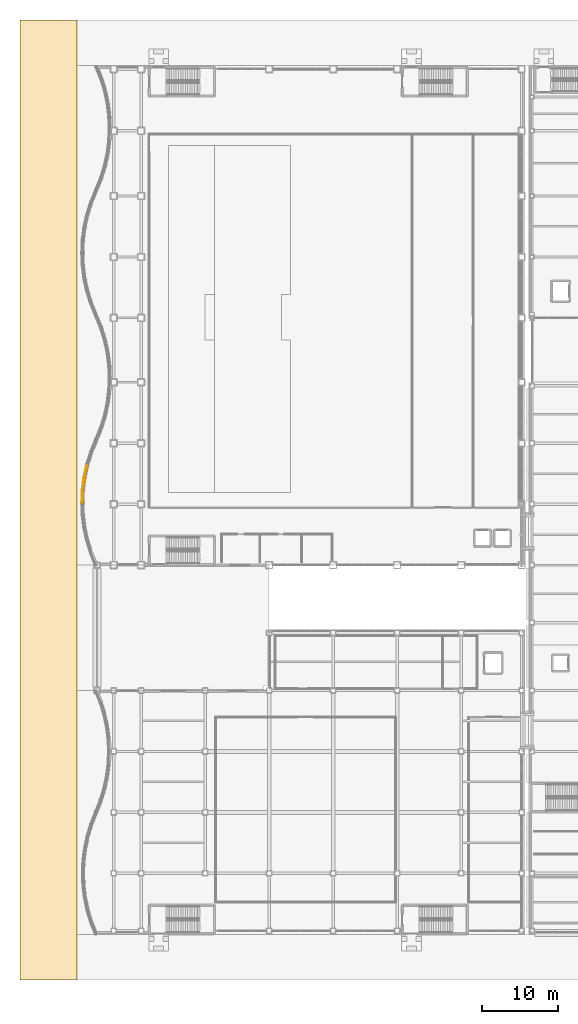
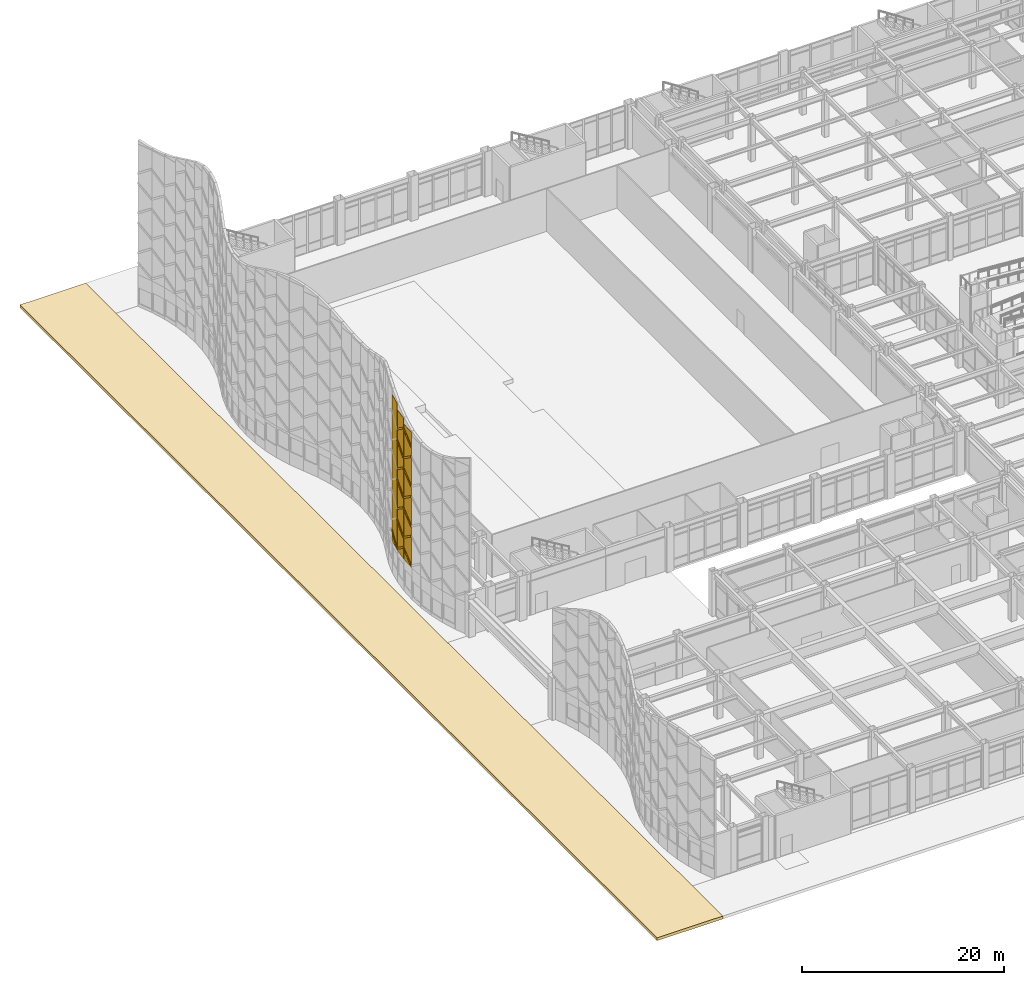
# One storey, part 145 of 165: 19 coverings.
"""IFC4 building model written with IfcOpenShell, lengths in metres."""

from ifc_helpers import new_model, si_unit, direction, frame, origin, origin_2d, place, context, subcontext, project, spatial, polyline, rectangle, outline, extrude, material, layer, layer_set, type_object, element, save


model = new_model("IFC4")

# Units and contexts
model_context = context("Model", 3, precision=1e-05, world=origin(), true_north=direction((0.0, 1.0)))
body_context = subcontext(model_context, "Body", "Model", "MODEL_VIEW")
ifc_project = project(units=[si_unit("LENGTHUNIT", "METRE"), si_unit("AREAUNIT", "SQUARE_METRE"), si_unit("VOLUMEUNIT", "CUBIC_METRE"), si_unit("PLANEANGLEUNIT", "RADIAN"), si_unit("MASSUNIT", "GRAM", prefix="KILO")], contexts=[model_context])

# Site, building, storey
site_placement = place(None, origin())
site = spatial("IfcSite", under=ifc_project, at=site_placement, CompositionType="ELEMENT")
building_placement = place(site_placement, origin())
building = spatial("IfcBuilding", under=site, at=building_placement, Name="Kazehara Bluff Congress Hotel", CompositionType="ELEMENT")
storey_placement = place(building_placement, origin())
storey = spatial("IfcBuildingStorey", under=building, at=storey_placement, Name="L00", CompositionType="ELEMENT", Elevation=0.0)

# Coverings
ifc_material_1 = material(Name="Basalt stone-grey chevron ceramic tile", Category="masonry")
ifc_layer_1 = layer(ifc_material_1, 0.1201171875)
ifc_layer_set_1 = layer_set([ifc_layer_1], Name="Basalt stone-grey chevron ceramic tile")
covering_type_1 = type_object("IfcCoveringType", Name="TP-CHV-RIB", PredefinedType="CLADDING", material=ifc_layer_set_1)
covering_1_placement = place(storey_placement, frame((0.6201171875, 56.64990234375, 4.0), z_axis=(0.0, 0.0, 1.0), x_axis=(0.042666799498, 0.999089357475, 0.0)))
element("IfcCovering", 1, at=covering_1_placement, inside=storey, type_object=covering_type_1, Name="Chevron stone-grey tile rib WR-V1-06-1", PredefinedType="CLADDING", context=body_context, shape_type="SweptSolid", body=[
    extrude(outline(polyline([(0.0400390625, 0.0), (1.594970703125, 1.1201171875), (1.594970703125, 1.360107421875), (0.0400390625, 0.239990234375), (0.0400390625, 0.0)])), frame((0.0, 0.06005859375, 0.0), z_axis=(0.0, -1.0, 0.0), x_axis=(1.0, 0.0, 0.0)), (0.0, 0.0, 1.0), 0.1201171875),
])
covering_2_placement = place(storey_placement, frame((0.6201171875, 56.64990234375, 6.39990234375), z_axis=(0.0, 0.0, 1.0), x_axis=(0.042666799498, 0.999089357475, 0.0)))
element("IfcCovering", 2, at=covering_2_placement, inside=storey, type_object=covering_type_1, Name="Chevron stone-grey tile rib WR-V1-06-2", PredefinedType="CLADDING", context=body_context, shape_type="SweptSolid", body=[
    extrude(outline(polyline([(0.0400390625, 1.1201171875), (1.594970703125, 0.0), (1.594970703125, 0.239990234375), (0.0400390625, 1.360107421875), (0.0400390625, 1.1201171875)])), frame((0.0, 0.06005859375, 0.0), z_axis=(0.0, -1.0, 0.0), x_axis=(1.0, 0.0, 0.0)), (0.0, 0.0, 1.0), 0.1201171875),
])
covering_3_placement = place(storey_placement, frame((0.6201171875, 56.64990234375, 8.800048828125), z_axis=(0.0, 0.0, 1.0), x_axis=(0.042666799498, 0.999089357475, 0.0)))
element("IfcCovering", 3, at=covering_3_placement, inside=storey, type_object=covering_type_1, Name="Chevron stone-grey tile rib WR-V1-06-3", PredefinedType="CLADDING", context=body_context, shape_type="SweptSolid", body=[
    extrude(outline(polyline([(0.0400390625, 0.0), (1.594970703125, 1.119873046875), (1.594970703125, 1.35986328125), (0.0400390625, 0.239990234375), (0.0400390625, 0.0)])), frame((0.0, 0.06005859375, 0.0), z_axis=(0.0, -1.0, 0.0), x_axis=(1.0, 0.0, 0.0)), (0.0, 0.0, 1.0), 0.1201171875),
])
covering_4_placement = place(storey_placement, frame((0.6201171875, 56.64990234375, 11.199951171875), z_axis=(0.0, 0.0, 1.0), x_axis=(0.042666799498, 0.999089357475, 0.0)))
element("IfcCovering", 4, at=covering_4_placement, inside=storey, type_object=covering_type_1, Name="Chevron stone-grey tile rib WR-V1-06-4", PredefinedType="CLADDING", context=body_context, shape_type="SweptSolid", body=[
    extrude(outline(polyline([(0.0400390625, 1.1201171875), (1.594970703125, 0.0), (1.594970703125, 0.239990234375), (0.0400390625, 1.360107421875), (0.0400390625, 1.1201171875)])), frame((0.0, 0.06005859375, 0.0), z_axis=(0.0, -1.0, 0.0), x_axis=(1.0, 0.0, 0.0)), (0.0, 0.0, 1.0), 0.1201171875),
])
covering_5_placement = place(storey_placement, frame((0.6201171875, 56.64990234375, 13.60009765625), z_axis=(0.0, 0.0, 1.0), x_axis=(0.042666799498, 0.999089357475, 0.0)))
element("IfcCovering", 5, at=covering_5_placement, inside=storey, type_object=covering_type_1, Name="Chevron stone-grey tile rib WR-V1-06-5", PredefinedType="CLADDING", context=body_context, shape_type="SweptSolid", body=[
    extrude(outline(polyline([(0.0400390625, 0.0), (1.594970703125, 1.119873046875), (1.594970703125, 1.35986328125), (0.0400390625, 0.239990234375), (0.0400390625, 0.0)])), frame((0.0, 0.06005859375, 0.0), z_axis=(0.0, -1.0, 0.0), x_axis=(1.0, 0.0, 0.0)), (0.0, 0.0, 1.0), 0.1201171875),
])
covering_6_placement = place(storey_placement, frame((0.6201171875, 56.64990234375, 16.0), z_axis=(0.0, 0.0, 1.0), x_axis=(0.042666799498, 0.999089357475, 0.0)))
element("IfcCovering", 6, at=covering_6_placement, inside=storey, type_object=covering_type_1, Name="Chevron stone-grey tile rib WR-V1-06-6", PredefinedType="CLADDING", context=body_context, shape_type="SweptSolid", body=[
    extrude(outline(polyline([(0.0400390625, 1.1201171875), (1.594970703125, 0.0), (1.594970703125, 0.239990234375), (0.0400390625, 1.360107421875), (0.0400390625, 1.1201171875)])), frame((0.0, 0.06005859375, 0.0), z_axis=(0.0, -1.0, 0.0), x_axis=(1.0, 0.0, 0.0)), (0.0, 0.0, 1.0), 0.1201171875),
])
covering_7_placement = place(storey_placement, frame((0.6201171875, 56.64990234375, 18.39990234375), z_axis=(0.0, 0.0, 1.0), x_axis=(0.042666799498, 0.999089357475, 0.0)))
element("IfcCovering", 7, at=covering_7_placement, inside=storey, type_object=covering_type_1, Name="Chevron stone-grey tile rib WR-V1-06-7", PredefinedType="CLADDING", context=body_context, shape_type="SweptSolid", body=[
    extrude(outline(polyline([(0.0400390625, 0.0), (1.594970703125, 1.1201171875), (1.594970703125, 1.360107421875), (0.0400390625, 0.239990234375), (0.0400390625, 0.0)])), frame((0.0, 0.06005859375, 0.0), z_axis=(0.0, -1.0, 0.0), x_axis=(1.0, 0.0, 0.0)), (0.0, 0.0, 1.0), 0.1201171875),
])
covering_8_placement = place(storey_placement, frame((0.68994140625, 58.300048828125, 4.0), z_axis=(0.0, 0.0, 1.0), x_axis=(0.12408927914, 0.992271057122, 0.0)))
element("IfcCovering", 8, at=covering_8_placement, inside=storey, type_object=covering_type_1, Name="Chevron stone-grey tile rib WR-V1-07-1", PredefinedType="CLADDING", context=body_context, shape_type="SweptSolid", body=[
    extrude(outline(polyline([(0.0400390625, 1.135009765625), (1.614990234375, 0.0), (1.614990234375, 0.239990234375), (0.0400390625, 1.375), (0.0400390625, 1.135009765625)])), frame((0.0, 0.06005859375, 0.0), z_axis=(0.0, -1.0, 0.0), x_axis=(1.0, 0.0, 0.0)), (0.0, 0.0, 1.0), 0.1201171875),
])
covering_9_placement = place(storey_placement, frame((0.68994140625, 58.300048828125, 6.39990234375), z_axis=(0.0, 0.0, 1.0), x_axis=(0.12408927914, 0.992271057122, 0.0)))
element("IfcCovering", 9, at=covering_9_placement, inside=storey, type_object=covering_type_1, Name="Chevron stone-grey tile rib WR-V1-07-2", PredefinedType="CLADDING", context=body_context, shape_type="SweptSolid", body=[
    extrude(outline(polyline([(0.0400390625, 0.0), (1.614990234375, 1.135009765625), (1.614990234375, 1.375), (0.0400390625, 0.239990234375), (0.0400390625, 0.0)])), frame((0.0, 0.06005859375, 0.0), z_axis=(0.0, -1.0, 0.0), x_axis=(1.0, 0.0, 0.0)), (0.0, 0.0, 1.0), 0.1201171875),
])
covering_10_placement = place(storey_placement, frame((0.68994140625, 58.300048828125, 8.800048828125), z_axis=(0.0, 0.0, 1.0), x_axis=(0.12408927914, 0.992271057122, 0.0)))
element("IfcCovering", 10, at=covering_10_placement, inside=storey, type_object=covering_type_1, Name="Chevron stone-grey tile rib WR-V1-07-3", PredefinedType="CLADDING", context=body_context, shape_type="SweptSolid", body=[
    extrude(outline(polyline([(0.0400390625, 1.135009765625), (1.614990234375, 0.0), (1.614990234375, 0.239990234375), (0.0400390625, 1.375), (0.0400390625, 1.135009765625)])), frame((0.0, 0.06005859375, 0.0), z_axis=(0.0, -1.0, 0.0), x_axis=(1.0, 0.0, 0.0)), (0.0, 0.0, 1.0), 0.1201171875),
])
covering_11_placement = place(storey_placement, frame((0.68994140625, 58.300048828125, 11.199951171875), z_axis=(0.0, 0.0, 1.0), x_axis=(0.12408927914, 0.992271057122, 0.0)))
element("IfcCovering", 11, at=covering_11_placement, inside=storey, type_object=covering_type_1, Name="Chevron stone-grey tile rib WR-V1-07-4", PredefinedType="CLADDING", context=body_context, shape_type="SweptSolid", body=[
    extrude(outline(polyline([(0.0400390625, 0.0), (1.614990234375, 1.135009765625), (1.614990234375, 1.375), (0.0400390625, 0.239990234375), (0.0400390625, 0.0)])), frame((0.0, 0.06005859375, 0.0), z_axis=(0.0, -1.0, 0.0), x_axis=(1.0, 0.0, 0.0)), (0.0, 0.0, 1.0), 0.1201171875),
])
covering_12_placement = place(storey_placement, frame((0.68994140625, 58.300048828125, 13.60009765625), z_axis=(0.0, 0.0, 1.0), x_axis=(0.12408927914, 0.992271057122, 0.0)))
element("IfcCovering", 12, at=covering_12_placement, inside=storey, type_object=covering_type_1, Name="Chevron stone-grey tile rib WR-V1-07-5", PredefinedType="CLADDING", context=body_context, shape_type="SweptSolid", body=[
    extrude(outline(polyline([(0.0400390625, 1.135009765625), (1.614990234375, 0.0), (1.614990234375, 0.239990234375), (0.0400390625, 1.375), (0.0400390625, 1.135009765625)])), frame((0.0, 0.06005859375, 0.0), z_axis=(0.0, -1.0, 0.0), x_axis=(1.0, 0.0, 0.0)), (0.0, 0.0, 1.0), 0.1201171875),
])
covering_13_placement = place(storey_placement, frame((0.68994140625, 58.300048828125, 16.0), z_axis=(0.0, 0.0, 1.0), x_axis=(0.12408927914, 0.992271057122, 0.0)))
element("IfcCovering", 13, at=covering_13_placement, inside=storey, type_object=covering_type_1, Name="Chevron stone-grey tile rib WR-V1-07-6", PredefinedType="CLADDING", context=body_context, shape_type="SweptSolid", body=[
    extrude(outline(polyline([(0.0400390625, 0.0), (1.614990234375, 1.135009765625), (1.614990234375, 1.375), (0.0400390625, 0.239990234375), (0.0400390625, 0.0)])), frame((0.0, 0.06005859375, 0.0), z_axis=(0.0, -1.0, 0.0), x_axis=(1.0, 0.0, 0.0)), (0.0, 0.0, 1.0), 0.1201171875),
])
covering_14_placement = place(storey_placement, frame((0.68994140625, 58.300048828125, 18.39990234375), z_axis=(0.0, 0.0, 1.0), x_axis=(0.12408927914, 0.992271057122, 0.0)))
element("IfcCovering", 14, at=covering_14_placement, inside=storey, type_object=covering_type_1, Name="Chevron stone-grey tile rib WR-V1-07-7", PredefinedType="CLADDING", context=body_context, shape_type="SweptSolid", body=[
    extrude(outline(polyline([(0.0400390625, 1.135009765625), (1.614990234375, 0.0), (1.614990234375, 0.239990234375), (0.0400390625, 1.375), (0.0400390625, 1.135009765625)])), frame((0.0, 0.06005859375, 0.0), z_axis=(0.0, -1.0, 0.0), x_axis=(1.0, 0.0, 0.0)), (0.0, 0.0, 1.0), 0.1201171875),
])
covering_15_placement = place(storey_placement, frame((0.89990234375, 59.955078125, 4.0), z_axis=(0.0, 0.0, 1.0), x_axis=(0.211565717967, 0.97736377413, 0.0)))
element("IfcCovering", 15, at=covering_15_placement, inside=storey, type_object=covering_type_1, Name="Chevron stone-grey tile rib WR-V1-08-1", PredefinedType="CLADDING", context=body_context, shape_type="SweptSolid", body=[
    extrude(outline(polyline([(0.0400390625, 0.0), (1.639892578125, 1.14990234375), (1.639892578125, 1.389892578125), (0.0400390625, 0.239990234375), (0.0400390625, 0.0)])), frame((0.0, 0.06005859375, 0.0), z_axis=(0.0, -1.0, 0.0), x_axis=(1.0, 0.0, 0.0)), (0.0, 0.0, 1.0), 0.1201171875),
])
ifc_material_2 = material(Name="Stone-grey ceramic rainscreen", Category="masonry")
ifc_layer_2 = layer(ifc_material_2, 0.044921875)
ifc_layer_set_2 = layer_set([ifc_layer_2], Name="Stone-grey ceramic rainscreen")
covering_type_2 = type_object("IfcCoveringType", Name="TP-CLD-01", PredefinedType="CLADDING", material=ifc_layer_set_2)
covering_16_placement = place(storey_placement, frame((0.679931640625, 57.469970703125, 3.8525390625), z_axis=(0.0, 0.0, 1.0), x_axis=(0.042773692818, 0.999084786794, 0.0)))
element("IfcCovering", 16, at=covering_16_placement, inside=storey, type_object=covering_type_2, Name="Chevron stone-grey ceramic cladding WR-V1-06", PredefinedType="CLADDING", context=body_context, shape_type="SweptSolid", body=[
    extrude(rectangle(XDim=1.614990234375, YDim=0.044921875, at=origin_2d()), origin(), (0.0, 0.0, 1.0), 16.31494140625),
])
covering_17_placement = place(storey_placement, frame((0.820068359375, 59.1201171875, 3.8525390625), z_axis=(0.0, 0.0, 1.0), x_axis=(0.12403445145, 0.992277912106, 0.0)))
element("IfcCovering", 17, at=covering_17_placement, inside=storey, type_object=covering_type_2, Name="Chevron stone-grey ceramic cladding WR-V1-07", PredefinedType="CLADDING", context=body_context, shape_type="SweptSolid", body=[
    extrude(rectangle(XDim=1.635009765625, YDim=0.044921875, at=origin_2d()), origin(), (0.0, 0.0, 1.0), 16.97509765625),
])
covering_18_placement = place(storey_placement, frame((1.10009765625, 60.77001953125, 3.85009765625), z_axis=(0.0, 0.0, 1.0), x_axis=(0.211563617902, 0.977364228719, 0.0)))
element("IfcCovering", 18, at=covering_18_placement, inside=storey, type_object=covering_type_2, Name="Chevron stone-grey ceramic cladding WR-V1-08", PredefinedType="CLADDING", context=body_context, shape_type="SweptSolid", body=[
    extrude(rectangle(XDim=1.659912109375, YDim=0.044921875, at=origin_2d()), origin(), (0.0, 0.0, 1.0), 17.68994140625),
])
ifc_material_3 = material(Name="Granite stone site paving", Category="masonry")
ifc_layer_3 = layer(ifc_material_3, 0.35009765625)
ifc_layer_set_3 = layer_set([ifc_layer_3], Name="Granite stone site paving")
covering_type_3 = type_object("IfcCoveringType", Name="TP-SITE-PAV", PredefinedType="FLOORING", material=ifc_layer_set_3)
covering_19_placement = place(storey_placement, frame((0.0, 0.0, -0.35009765625)))
element("IfcCovering", 19, at=covering_19_placement, inside=storey, type_object=covering_type_3, Name="Osaka bluff granite site terrace PAV-WEST-AVE", PredefinedType="FLOORING", context=body_context, shape_type="SweptSolid", body=[
    extrude(outline(polyline([(-7.5, -6.0), (0.0, -6.0), (0.0, 120.0), (-7.5, 120.0), (-7.5, -6.0)])), origin(), (0.0, 0.0, 1.0), 0.35009765625),
])

save(model, "model.ifc")
